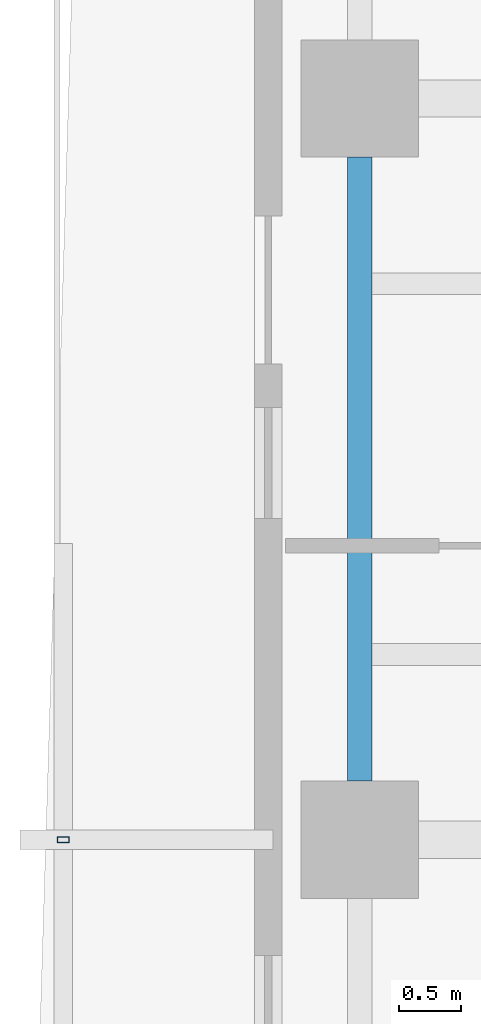
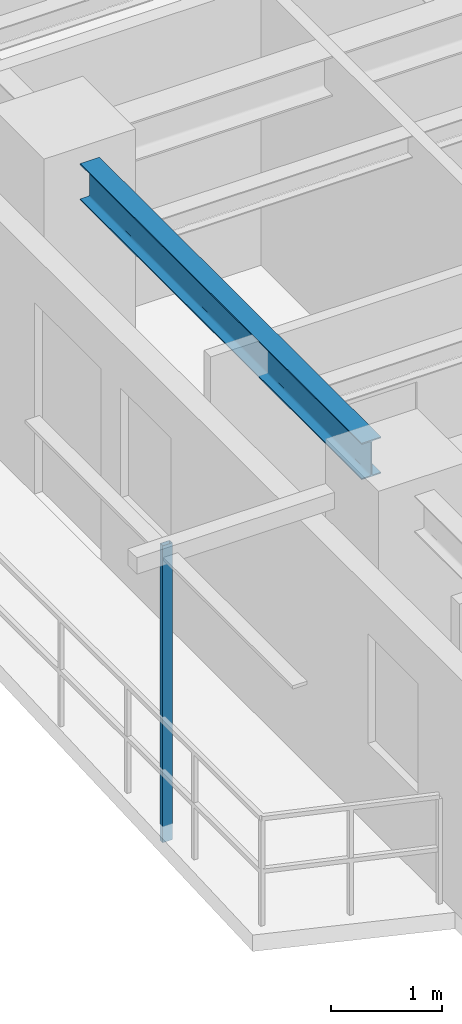
# One storey, part 4 of 17: 1 beam, 1 member.
"""IFC4 building model written with IfcOpenShell, lengths in metres."""

from ifc_helpers import new_model, si_unit, direction, frame, origin, origin_2d, place, context, subcontext, project, spatial, hollow_rectangle, i_section, extrude, source, transform, mapped, material, material_profile, profile_set, type_object, element, save


model = new_model("IFC4")

# Units and contexts
model_context = context("Model", 3, precision=1e-05, world=origin(), true_north=direction((0.0, 1.0)))
body_context = subcontext(model_context, "Body", "Model", "MODEL_VIEW")
ifc_project = project(units=[si_unit("LENGTHUNIT", "METRE"), si_unit("AREAUNIT", "SQUARE_METRE"), si_unit("VOLUMEUNIT", "CUBIC_METRE"), si_unit("PLANEANGLEUNIT", "RADIAN"), si_unit("MASSUNIT", "GRAM", prefix="KILO"), si_unit("THERMODYNAMICTEMPERATUREUNIT", "KELVIN"), si_unit("POWERUNIT", "WATT")], contexts=[model_context])

# Site, building, storey
site_placement = place(None, origin())
site = spatial("IfcSite", under=ifc_project, at=site_placement, CompositionType="ELEMENT")
building_placement = place(site_placement, origin())
building = spatial("IfcBuilding", under=site, at=building_placement, Name="Qiaomeng Ring Towers", CompositionType="ELEMENT")
storey_placement = place(building_placement, frame((0.0, 0.0, 150.25)))
storey = spatial("IfcBuildingStorey", under=building, at=storey_placement, Name="L43", CompositionType="ELEMENT", Elevation=150.25)

# Beam
ifc_material_1 = material(Name="Steel Q355B", Category="steel")
ifc_material_profile_1 = material_profile(ifc_material_1, i_section(OverallWidth=0.199951171875, OverallDepth=0.39990234375, WebThickness=0.008056640625, FlangeThickness=0.012939453125, FilletRadius=0.01611328125, at=origin_2d()), Name="HN 400x200x8x13")
ifc_profile_set_1 = profile_set([ifc_material_profile_1], Name="Steel Q355B")
beam_type = type_object("IfcBeamType", Name="STR-BM-HN400", PredefinedType="SPANDREL", material=ifc_profile_set_1)
shared_shape_1 = source(origin(), body_context, "Body", "SweptSolid", [
    extrude(i_section(OverallWidth=0.199951171875, OverallDepth=0.39990234375, WebThickness=0.008056640625, FlangeThickness=0.012939453125, FilletRadius=0.01611328125, at=origin_2d()), origin(), (0.0, 0.0, 1.0), 5.0517578125),
])
beam_placement = place(storey_placement, frame((1.949951171875, 25.52587890625, 2.8701171875), z_axis=(0.0, -1.0, 0.0), x_axis=(1.0, 0.0, 0.0)))
element("IfcBeam", 1, at=beam_placement, inside=storey, type_object=beam_type, Name="L43 beam STR-SP-L43-T1-W3-W2", PredefinedType="SPANDREL", context=body_context, shape_type="MappedRepresentation", body=[
    mapped(shared_shape_1, transform((0.0, 0.0, 0.0), x_axis=(1.0, 0.0, 0.0), y_axis=(0.0, 1.0, 0.0), z_axis=(0.0, 0.0, 1.0), scale=1.0)),
])

# Member
ifc_material_2 = material(Name="Stainless steel 316", Category="steel")
ifc_material_profile_2 = material_profile(ifc_material_2, hollow_rectangle(XDim=0.050048828125, YDim=0.10009765625, WallThickness=0.00390625, at=origin_2d()), Name="SS TRELLIS 100x50")
ifc_profile_set_2 = profile_set([ifc_material_profile_2], Name="Stainless steel 316")
member_type = type_object("IfcMemberType", Name="ARC-TR-POST2", PredefinedType="STUD", material=ifc_profile_set_2)
shared_shape_2 = source(origin(), body_context, "Body", "SweptSolid", [
    extrude(hollow_rectangle(XDim=0.050048828125, YDim=0.10009765625, WallThickness=0.00390625, at=origin_2d()), origin(), (0.0, 0.0, 1.0), 3.25),
])
member_placement = place(storey_placement, frame((-0.449951171875, 20.0, -0.179931640625), z_axis=(0.0, 0.0, 1.0), x_axis=(0.0, 1.0, 0.0)))
element("IfcMember", 2, at=member_placement, inside=storey, type_object=member_type, Name="L43 Outer Ventilated Trellis Post W", PredefinedType="STUD", context=body_context, shape_type="MappedRepresentation", body=[
    mapped(shared_shape_2, transform((0.0, 0.0, 0.0), x_axis=(1.0, 0.0, 0.0), y_axis=(0.0, 1.0, 0.0), z_axis=(0.0, 0.0, 1.0), scale=1.0)),
])

save(model, "model.ifc")
